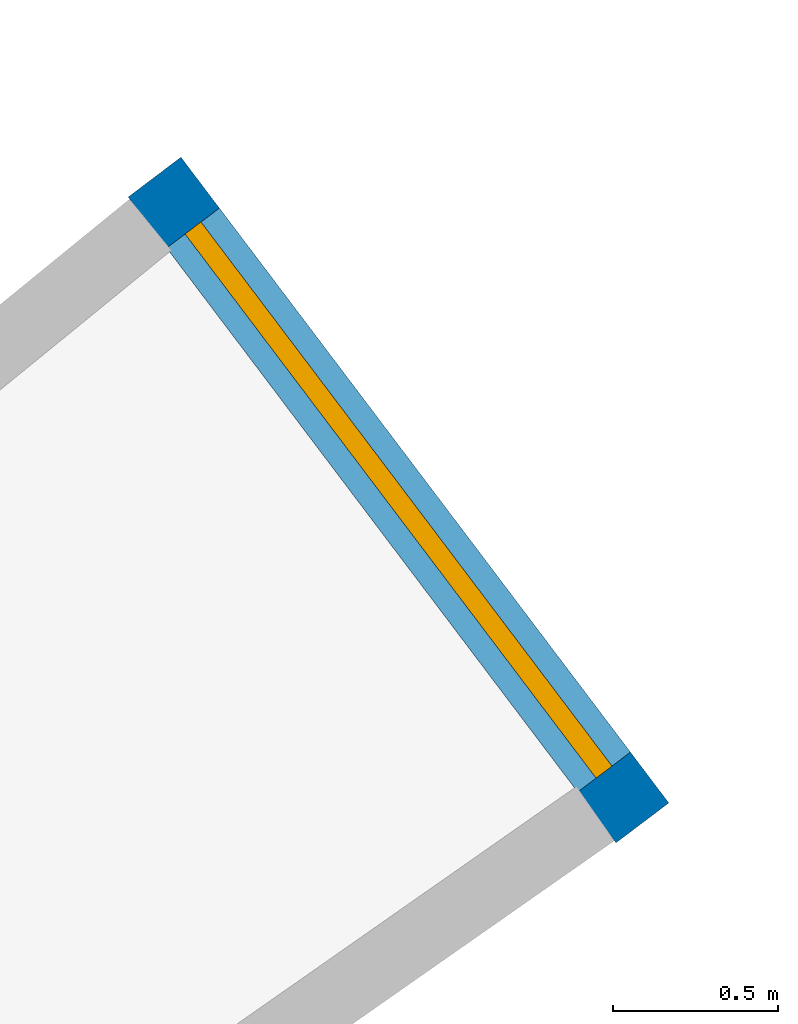
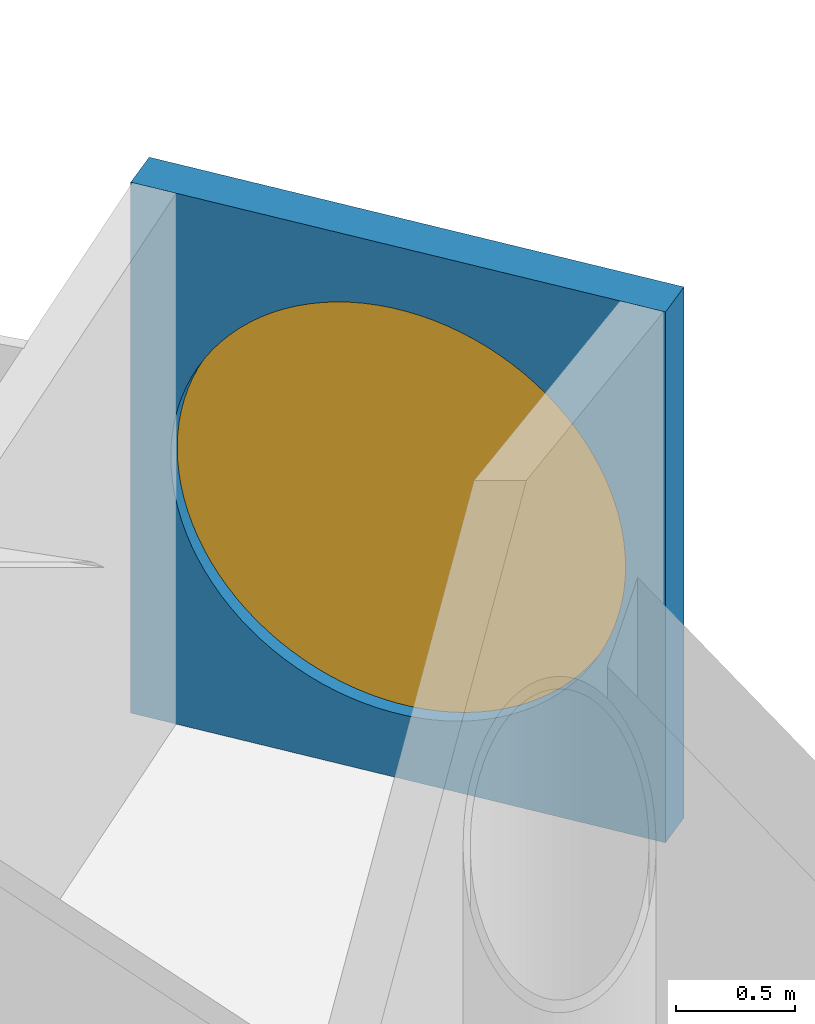
# One storey, part 25 of 29: 1 wall, 1 window, 1 opening.
"""IFC4 building model written with IfcOpenShell, lengths in metres."""

from ifc_helpers import new_model, si_unit, direction, frame, frame_2d, origin, place, context, subcontext, project, spatial, rectangle, circle, extrude, material, layer, layer_set, type_object, element, fill, save


model = new_model("IFC4")

# Units and contexts
model_context = context("Model", 3, precision=1e-05, world=origin(), true_north=direction((0.0, 1.0)))
body_context = subcontext(model_context, "Body", "Model", "MODEL_VIEW")
ifc_project = project(units=[si_unit("LENGTHUNIT", "METRE"), si_unit("AREAUNIT", "SQUARE_METRE"), si_unit("VOLUMEUNIT", "CUBIC_METRE"), si_unit("PLANEANGLEUNIT", "RADIAN"), si_unit("MASSUNIT", "GRAM", prefix="KILO")], contexts=[model_context])

# Site, building, storey
site_placement = place(None, origin())
site = spatial("IfcSite", under=ifc_project, at=site_placement, CompositionType="ELEMENT")
building_placement = place(site_placement, origin())
building = spatial("IfcBuilding", under=site, at=building_placement, Name="Maasbend Ring Residences", CompositionType="ELEMENT")
storey_placement = place(building_placement, frame((0.0, 0.0, 202.39990234375)))
storey = spatial("IfcBuildingStorey", under=building, at=storey_placement, Name="L58", CompositionType="ELEMENT", Elevation=202.39990234375)

# Wall, opening, window
ifc_material_1 = material(Name="Pale anodised aluminium panel", Category="aluminium")
ifc_layer = layer(ifc_material_1, 0.199951171875)
ifc_layer_set = layer_set([ifc_layer], Name="EW-BOX")
wall_type = type_object("IfcWallType", Name="EW-BOX", PredefinedType="SOLIDWALL", material=ifc_layer_set)
wall_placement = place(storey_placement, frame((24.971923828125, 17.3369140625, -0.02978515625), z_axis=(0.0, 0.0, 1.0), x_axis=(-0.602806268067, 0.797887588059, 0.0)))
wall = element("IfcWall", 1, at=wall_placement, inside=storey, type_object=wall_type, Name="Box front N01", PredefinedType="SOLIDWALL", context=body_context, shape_type="SweptSolid", body=[
    extrude(rectangle(XDim=2.446533203125, YDim=0.199951171875, at=frame_2d((1.22314453125, 0.0))), origin(), (0.0, 0.0, 1.0), 2.72998046875),
])
opening_placement = place(wall_placement, frame((0.182861328125, 0.0, 0.330078125)))
opening = element("IfcOpeningElement", 2, at=opening_placement, cuts=wall, Name="Opening W-RD", PredefinedType="OPENING", context=body_context, shape_type="SweptSolid", body=[
    extrude(circle(Radius=1.0400390625, at=frame_2d((1.0400390625, 1.0400390625))), frame((0.0, 0.10986328125, 0.0), z_axis=(0.0, -1.0, 0.0), x_axis=(1.0, 0.0, 0.0)), (0.0, 0.0, 1.0), 0.219970703125),
])
ifc_material_2 = material(Name="Aluminium and clear glass", Category="aluminium")
window_type = type_object("IfcWindowType", Name="W-RD", PartitioningType="SINGLE_PANEL", PredefinedType="WINDOW", material=ifc_material_2)
window_placement = place(opening_placement, origin())
window = element("IfcWindow", 3, at=window_placement, inside=storey, type_object=window_type, Name="Round window N01", OverallHeight=2.080078125, OverallWidth=2.080078125, PartitioningType="SINGLE_PANEL", PredefinedType="WINDOW", context=body_context, shape_type="SweptSolid", body=[
    extrude(circle(Radius=1.0400390625, at=frame_2d((1.0400390625, 1.0400390625))), frame((0.0, 0.030029296875, 0.0), z_axis=(0.0, -1.0, 0.0), x_axis=(1.0, 0.0, 0.0)), (0.0, 0.0, 1.0), 0.06005859375),
])
fill(opening, window)

save(model, "model.ifc")
